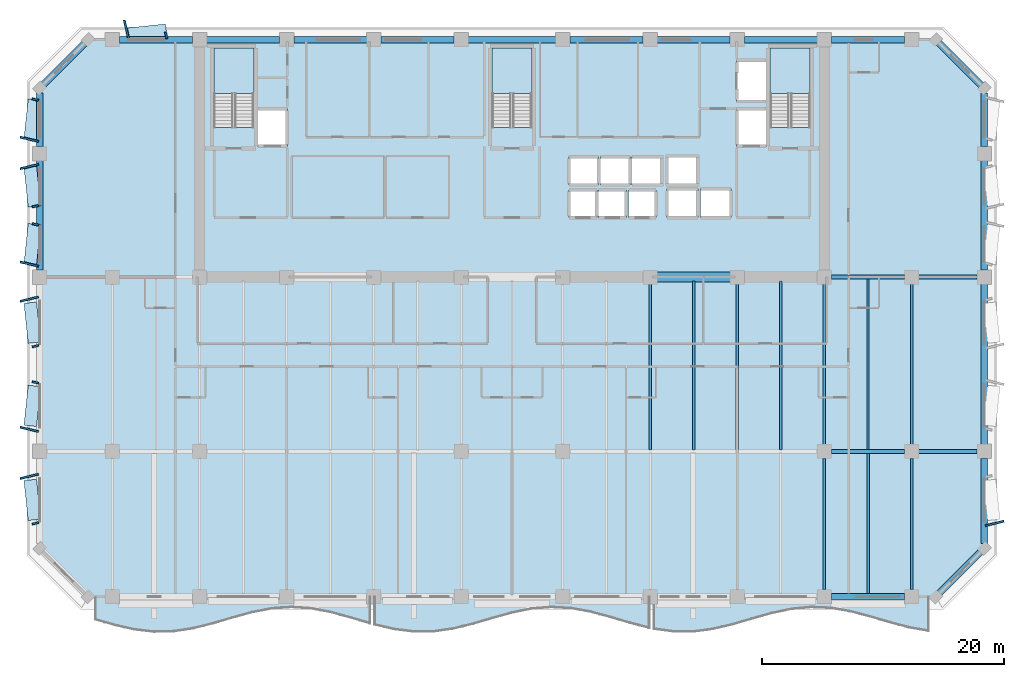
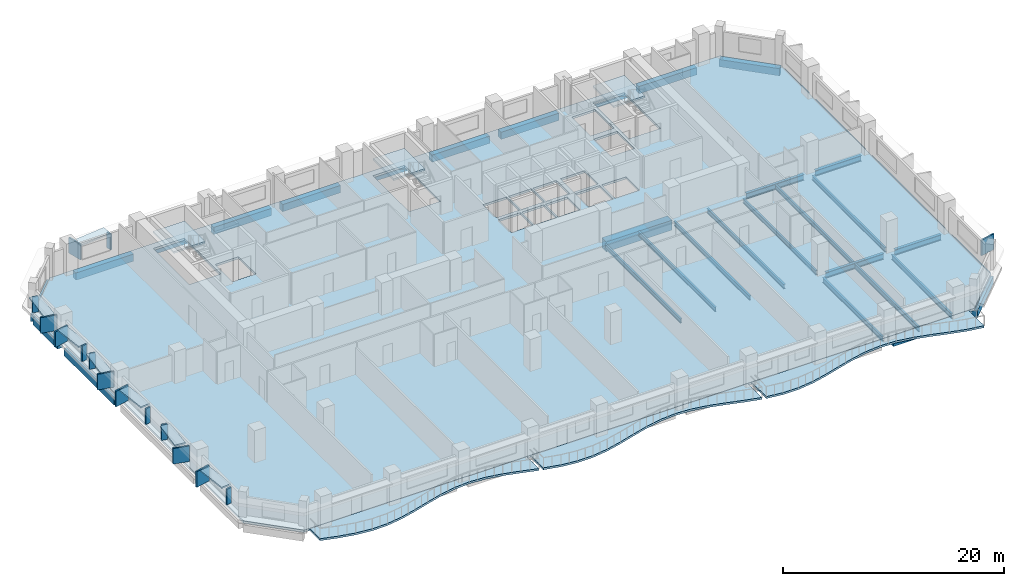
# One storey, part 2 of 14: 34 beams, 22 plates, 7 slabs, 3 elements without a shape of their own.
"""IFC4 building model written with IfcOpenShell, lengths in metres."""

from ifc_helpers import new_model, si_unit, direction, frame, origin, origin_2d, place, context, subcontext, project, spatial, polyline, rectangle, i_section, outline, extrude, material, layer, layer_set, material_profile, profile_set, type_object, element, aggregate, save


model = new_model("IFC4")

# Units and contexts
model_context = context("Model", 3, precision=1e-05, world=origin(), true_north=direction((0.0, 1.0)))
body_context = subcontext(model_context, "Body", "Model", "MODEL_VIEW")
ifc_project = project(units=[si_unit("LENGTHUNIT", "METRE"), si_unit("AREAUNIT", "SQUARE_METRE"), si_unit("VOLUMEUNIT", "CUBIC_METRE"), si_unit("PLANEANGLEUNIT", "RADIAN"), si_unit("MASSUNIT", "GRAM", prefix="KILO")], contexts=[model_context])

# Site, building, storey
site_placement = place(None, origin())
site = spatial("IfcSite", under=ifc_project, at=site_placement, CompositionType="ELEMENT")
building_placement = place(site_placement, origin())
building = spatial("IfcBuilding", under=site, at=building_placement, Name="Kaelvorn Grand Hotel", CompositionType="ELEMENT")
storey_placement = place(building_placement, frame((0.0, 0.0, 193.949951171875)))
storey = spatial("IfcBuildingStorey", under=building, at=storey_placement, Name="L47", CompositionType="ELEMENT", Elevation=193.949951171875)

# Beams
ifc_material_1 = material(Name="Steel S355", Category="steel")
ifc_material_profile_1 = material_profile(ifc_material_1, i_section(OverallWidth=0.300048828125, OverallDepth=0.64990234375, WebThickness=0.01611328125, FlangeThickness=0.031005859375, FilletRadius=0.027099609375, at=origin_2d()), Name="HEB 650")
ifc_profile_set_1 = profile_set([ifc_material_profile_1], Name="Steel S355")
beam_type_1 = type_object("IfcBeamType", Name="BM-G-HEB650-S355", PredefinedType="BEAM", material=ifc_profile_set_1)
beam_1_placement = place(storey_placement, frame((68.385009765625, 15.0, -0.56494140625), z_axis=(1.0, 0.0, 0.0), x_axis=(0.0, 1.0, 0.0)))
element("IfcBeam", 1, at=beam_1_placement, inside=storey, type_object=beam_type_1, Name="L47 Primary Spine Steel Girder G-15 06", PredefinedType="BEAM", context=body_context, shape_type="SweptSolid", body=[
    extrude(i_section(OverallWidth=0.300048828125, OverallDepth=0.64990234375, WebThickness=0.01611328125, FlangeThickness=0.031005859375, FilletRadius=0.027099609375, at=origin_2d()), origin(), (0.0, 0.0, 1.0), 6.030029296875),
])
beam_2_placement = place(storey_placement, frame((75.5849609375, 15.0, -0.56494140625), z_axis=(1.0, 0.0, 0.0), x_axis=(0.0, 1.0, 0.0)))
element("IfcBeam", 2, at=beam_2_placement, inside=storey, type_object=beam_type_1, Name="L47 Primary Spine Steel Girder G-15 07", PredefinedType="BEAM", context=body_context, shape_type="SweptSolid", body=[
    extrude(i_section(OverallWidth=0.300048828125, OverallDepth=0.64990234375, WebThickness=0.01611328125, FlangeThickness=0.031005859375, FilletRadius=0.027099609375, at=origin_2d()), origin(), (0.0, 0.0, 1.0), 4.830078125),
])
beam_3_placement = place(storey_placement, frame((68.385009765625, 29.39990234375, -0.56494140625), z_axis=(1.0, 0.0, 0.0), x_axis=(0.0, 1.0, 0.0)))
element("IfcBeam", 3, at=beam_3_placement, inside=storey, type_object=beam_type_1, Name="L47 East Core Wing Steel Girder G-29E 01", PredefinedType="BEAM", context=body_context, shape_type="SweptSolid", body=[
    extrude(i_section(OverallWidth=0.300048828125, OverallDepth=0.64990234375, WebThickness=0.01611328125, FlangeThickness=0.031005859375, FilletRadius=0.027099609375, at=origin_2d()), origin(), (0.0, 0.0, 1.0), 6.030029296875),
])
beam_4_placement = place(storey_placement, frame((75.5849609375, 29.39990234375, -0.56494140625), z_axis=(1.0, 0.0, 0.0), x_axis=(0.0, 1.0, 0.0)))
element("IfcBeam", 4, at=beam_4_placement, inside=storey, type_object=beam_type_1, Name="L47 East Core Wing Steel Girder G-29E 02", PredefinedType="BEAM", context=body_context, shape_type="SweptSolid", body=[
    extrude(i_section(OverallWidth=0.300048828125, OverallDepth=0.64990234375, WebThickness=0.01611328125, FlangeThickness=0.031005859375, FilletRadius=0.027099609375, at=origin_2d()), origin(), (0.0, 0.0, 1.0), 4.830078125),
])
ifc_material_profile_2 = material_profile(ifc_material_1, i_section(OverallWidth=0.199951171875, OverallDepth=0.5, WebThickness=0.01025390625, FlangeThickness=0.01611328125, FilletRadius=0.02099609375, at=origin_2d()), Name="IPE 500")
ifc_profile_set_2 = profile_set([ifc_material_profile_2], Name="Steel S355")
beam_type_2 = type_object("IfcBeamType", Name="BM-J-IPE500-S355", PredefinedType="JOIST", material=ifc_profile_set_2)
beam_5_placement = place(storey_placement, frame((53.39990234375, 15.135009765625, -0.489990234375), z_axis=(0.0, 1.0, 0.0), x_axis=(-1.0, 0.0, 0.0)))
element("IfcBeam", 5, at=beam_5_placement, inside=storey, type_object=beam_type_2, Name="L47 Composite Floor Joist JM-15", PredefinedType="JOIST", context=body_context, shape_type="SweptSolid", body=[
    extrude(i_section(OverallWidth=0.199951171875, OverallDepth=0.5, WebThickness=0.01025390625, FlangeThickness=0.01611328125, FilletRadius=0.02099609375, at=origin_2d()), origin(), (0.0, 0.0, 1.0), 13.679931640625),
])
beam_6_placement = place(storey_placement, frame((57.0, 15.135009765625, -0.489990234375), z_axis=(0.0, 1.0, 0.0), x_axis=(-1.0, 0.0, 0.0)))
element("IfcBeam", 6, at=beam_6_placement, inside=storey, type_object=beam_type_2, Name="L47 Composite Floor Joist JM-16", PredefinedType="JOIST", context=body_context, shape_type="SweptSolid", body=[
    extrude(i_section(OverallWidth=0.199951171875, OverallDepth=0.5, WebThickness=0.01025390625, FlangeThickness=0.01611328125, FilletRadius=0.02099609375, at=origin_2d()), origin(), (0.0, 0.0, 1.0), 13.925048828125),
])
beam_7_placement = place(storey_placement, frame((60.60009765625, 15.135009765625, -0.489990234375), z_axis=(0.0, 1.0, 0.0), x_axis=(-1.0, 0.0, 0.0)))
element("IfcBeam", 7, at=beam_7_placement, inside=storey, type_object=beam_type_2, Name="L47 Composite Floor Joist JM-17", PredefinedType="JOIST", context=body_context, shape_type="SweptSolid", body=[
    extrude(i_section(OverallWidth=0.199951171875, OverallDepth=0.5, WebThickness=0.01025390625, FlangeThickness=0.01611328125, FilletRadius=0.02099609375, at=origin_2d()), origin(), (0.0, 0.0, 1.0), 13.679931640625),
])
beam_8_placement = place(storey_placement, frame((64.199951171875, 15.135009765625, -0.489990234375), z_axis=(0.0, 1.0, 0.0), x_axis=(-1.0, 0.0, 0.0)))
element("IfcBeam", 8, at=beam_8_placement, inside=storey, type_object=beam_type_2, Name="L47 Composite Floor Joist JM-18", PredefinedType="JOIST", context=body_context, shape_type="SweptSolid", body=[
    extrude(i_section(OverallWidth=0.199951171875, OverallDepth=0.5, WebThickness=0.01025390625, FlangeThickness=0.01611328125, FilletRadius=0.02099609375, at=origin_2d()), origin(), (0.0, 0.0, 1.0), 13.925048828125),
])
beam_9_placement = place(storey_placement, frame((67.800048828125, 15.5849609375, -0.489990234375), z_axis=(0.0, 1.0, 0.0), x_axis=(-1.0, 0.0, 0.0)))
element("IfcBeam", 9, at=beam_9_placement, inside=storey, type_object=beam_type_2, Name="L47 Composite Floor Joist JM-19", PredefinedType="JOIST", context=body_context, shape_type="SweptSolid", body=[
    extrude(i_section(OverallWidth=0.199951171875, OverallDepth=0.5, WebThickness=0.01025390625, FlangeThickness=0.01611328125, FilletRadius=0.02099609375, at=origin_2d()), origin(), (0.0, 0.0, 1.0), 13.22998046875),
])
beam_10_placement = place(storey_placement, frame((71.39990234375, 15.135009765625, -0.489990234375), z_axis=(0.0, 1.0, 0.0), x_axis=(-1.0, 0.0, 0.0)))
element("IfcBeam", 10, at=beam_10_placement, inside=storey, type_object=beam_type_2, Name="L47 Composite Floor Joist JM-20", PredefinedType="JOIST", context=body_context, shape_type="SweptSolid", body=[
    extrude(i_section(OverallWidth=0.199951171875, OverallDepth=0.5, WebThickness=0.01025390625, FlangeThickness=0.01611328125, FilletRadius=0.02099609375, at=origin_2d()), origin(), (0.0, 0.0, 1.0), 14.1298828125),
])
beam_11_placement = place(storey_placement, frame((75.0, 15.5849609375, -0.489990234375), z_axis=(0.0, 1.0, 0.0), x_axis=(-1.0, 0.0, 0.0)))
element("IfcBeam", 11, at=beam_11_placement, inside=storey, type_object=beam_type_2, Name="L47 Composite Floor Joist JM-21", PredefinedType="JOIST", context=body_context, shape_type="SweptSolid", body=[
    extrude(i_section(OverallWidth=0.199951171875, OverallDepth=0.5, WebThickness=0.01025390625, FlangeThickness=0.01611328125, FilletRadius=0.02099609375, at=origin_2d()), origin(), (0.0, 0.0, 1.0), 13.22998046875),
])
ifc_material_profile_3 = material_profile(ifc_material_1, i_section(OverallWidth=0.2099609375, OverallDepth=0.550048828125, WebThickness=0.010986328125, FlangeThickness=0.01708984375, FilletRadius=0.02392578125, at=origin_2d()), Name="IPE 550")
ifc_profile_set_3 = profile_set([ifc_material_profile_3], Name="Steel S355")
beam_type_3 = type_object("IfcBeamType", Name="BM-J-IPE550-S355", PredefinedType="JOIST", material=ifc_profile_set_3)
beam_12_placement = place(storey_placement, frame((67.800048828125, 3.5849609375, -0.514892578125), z_axis=(0.0, 1.0, 0.0), x_axis=(-1.0, 0.0, 0.0)))
element("IfcBeam", 12, at=beam_12_placement, inside=storey, type_object=beam_type_3, Name="L47 Composite Floor Joist JS-19", PredefinedType="JOIST", context=body_context, shape_type="SweptSolid", body=[
    extrude(i_section(OverallWidth=0.2099609375, OverallDepth=0.550048828125, WebThickness=0.010986328125, FlangeThickness=0.01708984375, FilletRadius=0.02392578125, at=origin_2d()), origin(), (0.0, 0.0, 1.0), 10.830078125),
])
beam_13_placement = place(storey_placement, frame((71.39990234375, 3.260009765625, -0.514892578125), z_axis=(0.0, 1.0, 0.0), x_axis=(-1.0, 0.0, 0.0)))
element("IfcBeam", 13, at=beam_13_placement, inside=storey, type_object=beam_type_3, Name="L47 Composite Floor Joist JS-20", PredefinedType="JOIST", context=body_context, shape_type="SweptSolid", body=[
    extrude(i_section(OverallWidth=0.2099609375, OverallDepth=0.550048828125, WebThickness=0.010986328125, FlangeThickness=0.01708984375, FilletRadius=0.02392578125, at=origin_2d()), origin(), (0.0, 0.0, 1.0), 11.60498046875),
])
beam_14_placement = place(storey_placement, frame((75.0, 3.5849609375, -0.514892578125), z_axis=(0.0, 1.0, 0.0), x_axis=(-1.0, 0.0, 0.0)))
element("IfcBeam", 14, at=beam_14_placement, inside=storey, type_object=beam_type_3, Name="L47 Composite Floor Joist JS-21", PredefinedType="JOIST", context=body_context, shape_type="SweptSolid", body=[
    extrude(i_section(OverallWidth=0.2099609375, OverallDepth=0.550048828125, WebThickness=0.010986328125, FlangeThickness=0.01708984375, FilletRadius=0.02392578125, at=origin_2d()), origin(), (0.0, 0.0, 1.0), 10.830078125),
])
ifc_material_2 = material(Name="Concrete C60/75", Category="concrete")
ifc_material_profile_4 = material_profile(ifc_material_2, rectangle(XDim=0.800048828125, YDim=1.10009765625, at=origin_2d()), Name="RC LINTEL 800x1100")
ifc_profile_set_4 = profile_set([ifc_material_profile_4], Name="Concrete C60/75")
beam_type_4 = type_object("IfcBeamType", Name="BM-LIN-800x1100-C60", PredefinedType="LINTEL", material=ifc_profile_set_4)
beam_15_placement = place(storey_placement, frame((53.580078125, 29.39990234375, -0.7900390625), z_axis=(1.0, 0.0, 0.0), x_axis=(0.0, 1.0, 0.0)))
element("IfcBeam", 15, at=beam_15_placement, inside=storey, type_object=beam_type_4, Name="L47 Rear-Core Coupling Lintel Beam CB1-03", PredefinedType="LINTEL", context=body_context, shape_type="SweptSolid", body=[
    extrude(rectangle(XDim=0.800048828125, YDim=1.10009765625, at=origin_2d()), origin(), (0.0, 0.0, 1.0), 6.83984375),
])
ifc_material_3 = material(Name="Concrete C50/60", Category="concrete")
ifc_material_profile_5 = material_profile(ifc_material_3, rectangle(XDim=0.550048828125, YDim=0.800048828125, at=origin_2d()), Name="RC SPANDREL 550x800")
ifc_profile_set_5 = profile_set([ifc_material_profile_5], Name="Concrete C50/60")
beam_type_5 = type_object("IfcBeamType", Name="BM-SP-550x800-C50", PredefinedType="SPANDREL", material=ifc_profile_set_5)
for number, where, z_axis, x_axis, name in (
    (16, (68.385009765625, 3.0, -0.639892578125), (1.0, 0.0, 0.0), (0.0, 1.0, 0.0), "L47 South Perimeter Spandrel 10"),
    (17, (9.5849609375, 49.0, -0.639892578125), (1.0, 0.0, 0.0), (0.0, 1.0, 0.0), "L47 North Perimeter Spandrel 02"),
    (18, (16.784912109375, 49.0, -0.639892578125), (1.0, 0.0, 0.0), (0.0, 1.0, 0.0), "L47 North Perimeter Spandrel 03"),
):
    element("IfcBeam", number, at=place(storey_placement, frame(where, z_axis=z_axis, x_axis=x_axis)), inside=storey, type_object=beam_type_5, Name=name, PredefinedType="SPANDREL", context=body_context, shape_type="SweptSolid", body=[
        extrude(rectangle(XDim=0.550048828125, YDim=0.800048828125, at=origin_2d()), origin(), (0.0, 0.0, 1.0), 6.030029296875),
    ])
beam_16_placement = place(storey_placement, frame((23.985107421875, 49.0, -0.639892578125), z_axis=(1.0, 0.0, 0.0), x_axis=(0.0, 1.0, 0.0)))
element("IfcBeam", 19, at=beam_16_placement, inside=storey, type_object=beam_type_5, Name="L47 North Perimeter Spandrel 04", PredefinedType="SPANDREL", context=body_context, shape_type="SweptSolid", body=[
    extrude(rectangle(XDim=0.550048828125, YDim=0.800048828125, at=origin_2d()), origin(), (0.0, 0.0, 1.0), 6.02978515625),
])
beam_17_placement = place(storey_placement, frame((31.18505859375, 49.0, -0.639892578125), z_axis=(1.0, 0.0, 0.0), x_axis=(0.0, 1.0, 0.0)))
element("IfcBeam", 20, at=beam_17_placement, inside=storey, type_object=beam_type_5, Name="L47 North Perimeter Spandrel 05", PredefinedType="SPANDREL", context=body_context, shape_type="SweptSolid", body=[
    extrude(rectangle(XDim=0.550048828125, YDim=0.800048828125, at=origin_2d()), origin(), (0.0, 0.0, 1.0), 6.030029296875),
])
beam_18_placement = place(storey_placement, frame((38.385009765625, 49.0, -0.639892578125), z_axis=(1.0, 0.0, 0.0), x_axis=(0.0, 1.0, 0.0)))
element("IfcBeam", 21, at=beam_18_placement, inside=storey, type_object=beam_type_5, Name="L47 North Perimeter Spandrel 06", PredefinedType="SPANDREL", context=body_context, shape_type="SweptSolid", body=[
    extrude(rectangle(XDim=0.550048828125, YDim=0.800048828125, at=origin_2d()), origin(), (0.0, 0.0, 1.0), 7.22998046875),
])
beam_19_placement = place(storey_placement, frame((46.784912109375, 49.0, -0.639892578125), z_axis=(1.0, 0.0, 0.0), x_axis=(0.0, 1.0, 0.0)))
element("IfcBeam", 22, at=beam_19_placement, inside=storey, type_object=beam_type_5, Name="L47 North Perimeter Spandrel 07", PredefinedType="SPANDREL", context=body_context, shape_type="SweptSolid", body=[
    extrude(rectangle(XDim=0.550048828125, YDim=0.800048828125, at=origin_2d()), origin(), (0.0, 0.0, 1.0), 6.030029296875),
])
beam_20_placement = place(storey_placement, frame((53.985107421875, 49.0, -0.639892578125), z_axis=(1.0, 0.0, 0.0), x_axis=(0.0, 1.0, 0.0)))
element("IfcBeam", 23, at=beam_20_placement, inside=storey, type_object=beam_type_5, Name="L47 North Perimeter Spandrel 08", PredefinedType="SPANDREL", context=body_context, shape_type="SweptSolid", body=[
    extrude(rectangle(XDim=0.550048828125, YDim=0.800048828125, at=origin_2d()), origin(), (0.0, 0.0, 1.0), 6.02978515625),
])
for number, where, z_axis, x_axis, name in (
    (24, (61.18505859375, 49.0, -0.639892578125), (1.0, 0.0, 0.0), (0.0, 1.0, 0.0), "L47 North Perimeter Spandrel 09"),
    (25, (68.385009765625, 49.0, -0.639892578125), (1.0, 0.0, 0.0), (0.0, 1.0, 0.0), "L47 North Perimeter Spandrel 10"),
):
    element("IfcBeam", number, at=place(storey_placement, frame(where, z_axis=z_axis, x_axis=x_axis)), inside=storey, type_object=beam_type_5, Name=name, PredefinedType="SPANDREL", context=body_context, shape_type="SweptSolid", body=[
        extrude(rectangle(XDim=0.550048828125, YDim=0.800048828125, at=origin_2d()), origin(), (0.0, 0.0, 1.0), 6.030029296875),
    ])
beam_21_placement = place(storey_placement, frame((3.0, 29.985107421875, -0.639892578125), z_axis=(0.0, 1.0, 0.0), x_axis=(-1.0, 0.0, 0.0)))
element("IfcBeam", 26, at=beam_21_placement, inside=storey, type_object=beam_type_5, Name="L47 West Perimeter Spandrel 03", PredefinedType="SPANDREL", context=body_context, shape_type="SweptSolid", body=[
    extrude(rectangle(XDim=0.550048828125, YDim=0.800048828125, at=origin_2d()), origin(), (0.0, 0.0, 1.0), 9.02978515625),
])
beam_22_placement = place(storey_placement, frame((3.0, 40.18505859375, -0.639892578125), z_axis=(0.0, 1.0, 0.0), x_axis=(-1.0, 0.0, 0.0)))
element("IfcBeam", 27, at=beam_22_placement, inside=storey, type_object=beam_type_5, Name="L47 West Perimeter Spandrel 04", PredefinedType="SPANDREL", context=body_context, shape_type="SweptSolid", body=[
    extrude(rectangle(XDim=0.550048828125, YDim=0.800048828125, at=origin_2d()), origin(), (0.0, 0.0, 1.0), 4.409912109375),
])
beam_23_placement = place(storey_placement, frame((81.0, 7.405029296875, -0.639892578125), z_axis=(0.0, 1.0, 0.0), x_axis=(-1.0, 0.0, 0.0)))
element("IfcBeam", 28, at=beam_23_placement, inside=storey, type_object=beam_type_5, Name="L47 East Perimeter Spandrel 01", PredefinedType="SPANDREL", context=body_context, shape_type="SweptSolid", body=[
    extrude(rectangle(XDim=0.550048828125, YDim=0.800048828125, at=origin_2d()), origin(), (0.0, 0.0, 1.0), 7.010009765625),
])
beam_24_placement = place(storey_placement, frame((81.0, 15.5849609375, -0.639892578125), z_axis=(0.0, 1.0, 0.0), x_axis=(-1.0, 0.0, 0.0)))
element("IfcBeam", 29, at=beam_24_placement, inside=storey, type_object=beam_type_5, Name="L47 East Perimeter Spandrel 02", PredefinedType="SPANDREL", context=body_context, shape_type="SweptSolid", body=[
    extrude(rectangle(XDim=0.550048828125, YDim=0.800048828125, at=origin_2d()), origin(), (0.0, 0.0, 1.0), 13.22998046875),
])
beam_25_placement = place(storey_placement, frame((81.0, 29.985107421875, -0.639892578125), z_axis=(0.0, 1.0, 0.0), x_axis=(-1.0, 0.0, 0.0)))
element("IfcBeam", 30, at=beam_25_placement, inside=storey, type_object=beam_type_5, Name="L47 East Perimeter Spandrel 03", PredefinedType="SPANDREL", context=body_context, shape_type="SweptSolid", body=[
    extrude(rectangle(XDim=0.550048828125, YDim=0.800048828125, at=origin_2d()), origin(), (0.0, 0.0, 1.0), 9.02978515625),
])
beam_26_placement = place(storey_placement, frame((81.0, 40.18505859375, -0.639892578125), z_axis=(0.0, 1.0, 0.0), x_axis=(-1.0, 0.0, 0.0)))
element("IfcBeam", 31, at=beam_26_placement, inside=storey, type_object=beam_type_5, Name="L47 East Perimeter Spandrel 04", PredefinedType="SPANDREL", context=body_context, shape_type="SweptSolid", body=[
    extrude(rectangle(XDim=0.550048828125, YDim=0.800048828125, at=origin_2d()), origin(), (0.0, 0.0, 1.0), 4.409912109375),
])
for number, where, z_axis, x_axis, name in (
    (32, (77.0, 3.0, -0.639892578125), (0.707106781187, 0.707106781187, 0.0), (-0.707106781187, 0.707106781187, 0.0), "L47 Chamfer Spandrel Beam 1"),
    (33, (81.0, 45.0, -0.639892578125), (-0.707106781187, 0.707106781187, 0.0), (-0.707106781187, -0.707106781187, 0.0), "L47 Chamfer Spandrel Beam 2"),
    (34, (7.0, 49.0, -0.639892578125), (-0.707106781187, -0.707106781187, 0.0), (0.707106781187, -0.707106781187, 0.0), "L47 Chamfer Spandrel Beam 3"),
):
    element("IfcBeam", number, at=place(storey_placement, frame(where, z_axis=z_axis, x_axis=x_axis)), inside=storey, type_object=beam_type_5, Name=name, PredefinedType="SPANDREL", context=body_context, shape_type="SweptSolid", body=[
        extrude(rectangle(XDim=0.550048828125, YDim=0.800048828125, at=origin_2d()), origin(), (0.0, 0.0, 1.0), 5.65673828125),
    ])

# Plates
ifc_material_4 = material(Name="Precast concrete C45/55", Category="concrete")
ifc_layer_1 = layer(ifc_material_4, 0.159912109375)
ifc_layer_set_1 = layer_set([ifc_layer_1], Name="Precast concrete C45/55")
plate_type_1 = type_object("IfcPlateType", Name="PL-FRAME-DEEP-1550", PredefinedType="USERDEFINED", material=ifc_layer_set_1)
for number, where, z_axis, x_axis, name in (
    (35, (81.85498046875, 9.06005859375, 0.81494140625), (0.0, 0.0, 1.0), (-0.233445363856, 0.972369920398, 0.0), "L47 Tilted Precast Window Frame Fin L-E01"),
    (36, (2.14501953125, 12.93994140625, 0.81494140625), (0.0, 0.0, 1.0), (-0.233445363856, 0.972369920398, 0.0), "L47 Tilted Precast Window Frame Fin R-W01"),
    (37, (2.14501953125, 16.824951171875, 0.81494140625), (0.0, 0.0, 1.0), (0.233445363856, 0.972369920398, 0.0), "L47 Tilted Precast Window Frame Fin L-W02"),
    (38, (2.14501953125, 27.574951171875, 0.81494140625), (0.0, 0.0, 1.0), (-0.233445363856, 0.972369920398, 0.0), "L47 Tilted Precast Window Frame Fin R-W03"),
    (39, (2.14501953125, 30.47509765625, 0.740234375), (0.0, 0.0, 1.0), (0.233445363856, 0.972369920398, 0.0), "L47 Tilted Precast Window Frame Fin L-W04"),
    (40, (2.14501953125, 38.52490234375, 0.740234375), (0.0, 0.0, 1.0), (-0.233445363856, 0.972369920398, 0.0), "L47 Tilted Precast Window Frame Fin R-W05"),
    (41, (2.14501953125, 40.77490234375, 0.740234375), (0.0, 0.0, 1.0), (0.233445363856, 0.972369920398, 0.0), "L47 Tilted Precast Window Frame Fin L-W06"),
    (42, (10.159912109375, 49.85498046875, 0.740234375), (0.0, 0.0, 1.0), (0.972369920398, 0.233445363856, 0.0), "L47 Tilted Precast Window Frame Fin L-N01"),
):
    element("IfcPlate", number, at=place(storey_placement, frame(where, z_axis=z_axis, x_axis=x_axis)), inside=storey, type_object=plate_type_1, Name=name, ObjectType="FLANGE_PLATE", PredefinedType="USERDEFINED", context=body_context, shape_type="SweptSolid", body=[
        extrude(rectangle(XDim=0.159912109375, YDim=1.550048828125, at=origin_2d()), origin(), (0.0, 0.0, 1.0), 1.719970703125),
    ])
ifc_layer_2 = layer(ifc_material_4, 0.159912109375)
ifc_layer_set_2 = layer_set([ifc_layer_2], Name="Precast concrete C45/55")
plate_type_2 = type_object("IfcPlateType", Name="PL-FRAME-HEAD-1050", PredefinedType="USERDEFINED", material=ifc_layer_set_2)
for number, where, z_axis, x_axis, name in (
    (43, (2.39501953125, 11.0, 2.5), (0.0, 0.0, 1.0), (-0.105830199459, 0.994384215926, 0.0), "L47 Precast Window Frame Head Hood H-W01"),
    (44, (2.39501953125, 18.764892578125, 2.5), (0.0, 0.0, 1.0), (0.105830199459, 0.994384215926, 0.0), "L47 Precast Window Frame Head Hood H-W02"),
    (45, (2.39501953125, 25.635009765625, 2.5), (0.0, 0.0, 1.0), (-0.105830199459, 0.994384215926, 0.0), "L47 Precast Window Frame Head Hood H-W03"),
    (46, (2.39501953125, 32.114990234375, 2.35009765625), (0.0, 0.0, 1.0), (0.105830199459, 0.994384215926, 0.0), "L47 Precast Window Frame Head Hood H-W04"),
    (47, (2.39501953125, 36.885009765625, 2.35009765625), (0.0, 0.0, 1.0), (-0.105830199459, 0.994384215926, 0.0), "L47 Precast Window Frame Head Hood H-W05"),
    (48, (2.39501953125, 42.4150390625, 2.35009765625), (0.0, 0.0, 1.0), (0.105830199459, 0.994384215926, 0.0), "L47 Precast Window Frame Head Hood H-W06"),
    (49, (11.800048828125, 49.60498046875, 2.35009765625), (0.0, 0.0, 1.0), (0.994384215926, 0.105830199459, 0.0), "L47 Precast Window Frame Head Hood H-N01"),
):
    element("IfcPlate", number, at=place(storey_placement, frame(where, z_axis=z_axis, x_axis=x_axis)), inside=storey, type_object=plate_type_2, Name=name, ObjectType="FLANGE_PLATE", PredefinedType="USERDEFINED", context=body_context, shape_type="SweptSolid", body=[
        extrude(rectangle(XDim=3.320068359375, YDim=1.050048828125, at=origin_2d()), origin(), (0.0, 0.0, 1.0), 0.159912109375),
    ])
ifc_layer_3 = layer(ifc_material_4, 0.159912109375)
ifc_layer_set_3 = layer_set([ifc_layer_3], Name="Precast concrete C45/55")
plate_type_3 = type_object("IfcPlateType", Name="PL-FRAME-SHAL-550", PredefinedType="USERDEFINED", material=ifc_layer_set_3)
for number, where, z_axis, x_axis, name in (
    (50, (2.64501953125, 9.06005859375, 0.81494140625), (0.0, 0.0, 1.0), (-0.233445363856, 0.972369920398, 0.0), "L47 Tilted Precast Window Frame Fin L-W01"),
    (51, (2.64501953125, 20.705078125, 0.81494140625), (0.0, 0.0, 1.0), (0.233445363856, 0.972369920398, 0.0), "L47 Tilted Precast Window Frame Fin R-W02"),
    (52, (2.64501953125, 23.695068359375, 0.81494140625), (0.0, 0.0, 1.0), (-0.233445363856, 0.972369920398, 0.0), "L47 Tilted Precast Window Frame Fin L-W03"),
    (53, (2.64501953125, 33.7548828125, 0.740234375), (0.0, 0.0, 1.0), (0.233445363856, 0.972369920398, 0.0), "L47 Tilted Precast Window Frame Fin R-W04"),
    (54, (2.64501953125, 35.2451171875, 0.740234375), (0.0, 0.0, 1.0), (-0.233445363856, 0.972369920398, 0.0), "L47 Tilted Precast Window Frame Fin L-W05"),
    (55, (2.64501953125, 44.054931640625, 0.740234375), (0.0, 0.0, 1.0), (0.233445363856, 0.972369920398, 0.0), "L47 Tilted Precast Window Frame Fin R-W06"),
    (56, (13.43994140625, 49.35498046875, 0.740234375), (0.0, 0.0, 1.0), (0.972369920398, 0.233445363856, 0.0), "L47 Tilted Precast Window Frame Fin R-N01"),
):
    element("IfcPlate", number, at=place(storey_placement, frame(where, z_axis=z_axis, x_axis=x_axis)), inside=storey, type_object=plate_type_3, Name=name, ObjectType="FLANGE_PLATE", PredefinedType="USERDEFINED", context=body_context, shape_type="SweptSolid", body=[
        extrude(rectangle(XDim=0.159912109375, YDim=0.550048828125, at=origin_2d()), origin(), (0.0, 0.0, 1.0), 1.719970703125),
    ])

# Slabs
ifc_material_5 = material(Name="Concrete C40/50", Category="concrete")
ifc_layer_4 = layer(ifc_material_5, 0.219970703125)
ifc_layer_set_4 = layer_set([ifc_layer_4], Name="Concrete C40/50")
slab_type_1 = type_object("IfcSlabType", Name="SLB-BALC-220-C40", PredefinedType="FLOOR", material=ifc_layer_set_4)
slab_1_placement = place(storey_placement, frame((0.0, 0.0, -0.219970703125)))
element("IfcSlab", 57, at=slab_1_placement, inside=storey, type_object=slab_type_1, Name="L47 Scalloped Wave Balcony Slab 1", PredefinedType="FLOOR", context=body_context, shape_type="SweptSolid", body=[
    extrude(outline(polyline([(7.60009765625, 1.125), (9.218994140625, 0.659912109375), (10.838134765625, 0.296142578125), (12.45703125, 0.11279296875), (14.076171875, 0.14990234375), (15.6953125, 0.399169921875), (17.314208984375, 0.806640625), (18.933349609375, 1.283447265625), (20.552490234375, 1.7255859375), (22.17138671875, 2.037109375), (23.79052734375, 2.14990234375), (25.409423828125, 2.039794921875), (27.028564453125, 1.730224609375), (28.647705078125, 1.2890625), (30.2666015625, 0.81201171875), (30.2666015625, 3.0), (7.60009765625, 3.0), (7.60009765625, 1.125)])), origin(), (0.0, 0.0, 1.0), 0.219970703125),
])
slab_2_placement = place(storey_placement, frame((0.0, 0.0, -0.219970703125)))
element("IfcSlab", 58, at=slab_2_placement, inside=storey, type_object=slab_type_1, Name="L47 Scalloped Wave Balcony Slab 2", PredefinedType="FLOOR", context=body_context, shape_type="SweptSolid", body=[
    extrude(outline(polyline([(30.666748046875, 0.700927734375), (32.28564453125, 0.32373046875), (33.90478515625, 0.120849609375), (35.52392578125, 0.13671875), (37.142822265625, 0.367919921875), (38.761962890625, 0.763671875), (40.380859375, 1.23828125), (42.0, 1.688232421875), (43.619140625, 2.015380859375), (45.238037109375, 2.14892578125), (46.857177734375, 2.059326171875), (48.47607421875, 1.766357421875), (50.09521484375, 1.333740234375), (51.71435546875, 0.855712890625), (53.333251953125, 0.436279296875), (53.333251953125, 3.0), (30.666748046875, 3.0), (30.666748046875, 0.700927734375)])), origin(), (0.0, 0.0, 1.0), 0.219970703125),
])
slab_3_placement = place(storey_placement, frame((0.0, 0.0, -0.219970703125)))
element("IfcSlab", 59, at=slab_3_placement, inside=storey, type_object=slab_type_1, Name="L47 Scalloped Wave Balcony Slab 3", PredefinedType="FLOOR", context=body_context, shape_type="SweptSolid", body=[
    extrude(outline(polyline([(53.7333984375, 0.352783203125), (55.352294921875, 0.131103515625), (56.971435546875, 0.125732421875), (58.590576171875, 0.337890625), (60.20947265625, 0.7216796875), (61.82861328125, 1.193115234375), (63.447509765625, 1.649658203125), (65.066650390625, 1.9921875), (66.685791015625, 2.145751953125), (68.3046875, 2.0771484375), (69.923828125, 1.801025390625), (71.54296875, 1.3779296875), (73.161865234375, 0.899658203125), (74.781005859375, 0.470458984375), (76.39990234375, 0.183837890625), (76.39990234375, 3.0), (53.7333984375, 3.0), (53.7333984375, 0.352783203125)])), origin(), (0.0, 0.0, 1.0), 0.219970703125),
])
ifc_layer_5 = layer(ifc_material_5, 0.239990234375)
ifc_layer_set_5 = layer_set([ifc_layer_5], Name="Concrete C40/50")
slab_type_2 = type_object("IfcSlabType", Name="SLB-FLR-240-C40", PredefinedType="FLOOR", material=ifc_layer_set_5)
slab_4_placement = place(storey_placement, frame((0.0, 0.0, -0.239990234375)))
element("IfcSlab", 60, at=slab_4_placement, inside=storey, type_object=slab_type_2, Name="L47 Indoor Suspended Floor Slab", PredefinedType="FLOOR", context=body_context, shape_type="SweptSolid", body=[
    extrude(outline(polyline([(7.0, 3.0), (77.0, 3.0), (81.0, 7.0), (81.0, 45.0), (77.0, 49.0), (7.0, 49.0), (3.0, 45.0), (3.0, 7.0), (7.0, 3.0)]), holes=[polyline([(17.39990234375, 41.760009765625), (17.39990234375, 48.300048828125), (20.679931640625, 48.300048828125), (20.679931640625, 41.760009765625), (17.39990234375, 41.760009765625)]), polyline([(40.360107421875, 41.760009765625), (40.360107421875, 48.300048828125), (43.639892578125, 48.300048828125), (43.639892578125, 41.760009765625), (40.360107421875, 41.760009765625)]), polyline([(63.320068359375, 41.760009765625), (63.320068359375, 48.300048828125), (66.60009765625, 48.300048828125), (66.60009765625, 41.760009765625), (63.320068359375, 41.760009765625)]), polyline([(46.699951171875, 34.300048828125), (46.699951171875, 36.60009765625), (49.0, 36.60009765625), (49.0, 34.300048828125), (46.699951171875, 34.300048828125)]), polyline([(49.14990234375, 34.300048828125), (49.14990234375, 36.60009765625), (51.449951171875, 36.60009765625), (51.449951171875, 34.300048828125), (49.14990234375, 34.300048828125)]), polyline([(51.60009765625, 34.300048828125), (51.60009765625, 36.60009765625), (53.89990234375, 36.60009765625), (53.89990234375, 34.300048828125), (51.60009765625, 34.300048828125)]), polyline([(46.699951171875, 37.0), (46.699951171875, 39.35009765625), (49.14990234375, 39.35009765625), (49.14990234375, 37.0), (46.699951171875, 37.0)]), polyline([(49.300048828125, 37.0), (49.300048828125, 39.35009765625), (51.75, 39.35009765625), (51.75, 37.0), (49.300048828125, 37.0)]), polyline([(51.89990234375, 37.0), (51.89990234375, 39.35009765625), (54.35009765625, 39.35009765625), (54.35009765625, 37.0), (51.89990234375, 37.0)]), polyline([(54.800048828125, 34.300048828125), (54.800048828125, 36.699951171875), (57.35009765625, 36.699951171875), (57.35009765625, 34.300048828125), (54.800048828125, 34.300048828125)]), polyline([(57.550048828125, 34.300048828125), (57.550048828125, 36.699951171875), (60.10009765625, 36.699951171875), (60.10009765625, 34.300048828125), (57.550048828125, 34.300048828125)]), polyline([(54.800048828125, 37.0), (54.800048828125, 39.39990234375), (57.35009765625, 39.39990234375), (57.35009765625, 37.0), (54.800048828125, 37.0)]), polyline([(21.0, 40.199951171875), (21.0, 43.300048828125), (23.449951171875, 43.300048828125), (23.449951171875, 40.199951171875), (21.0, 40.199951171875)]), polyline([(60.550048828125, 40.199951171875), (60.550048828125, 43.300048828125), (63.0, 43.300048828125), (63.0, 40.199951171875), (60.550048828125, 40.199951171875)]), polyline([(60.550048828125, 43.89990234375), (60.550048828125, 47.300048828125), (63.0, 47.300048828125), (63.0, 43.89990234375), (60.550048828125, 43.89990234375)])]), origin(), (0.0, 0.0, 1.0), 0.239990234375),
])

# Stair, slab
stair_type = type_object("IfcStairType", Name="STR-DOG-1560-R08", PredefinedType="HALF_TURN_STAIR", material=ifc_material_5)
stair_1_placement = place(storey_placement, origin())
stair_1 = element("IfcStair", 61, at=stair_1_placement, inside=storey, type_object=stair_type, Name="L47 West Core Exit Stair ST1", PredefinedType="HALF_TURN_STAIR")
ifc_layer_6 = layer(ifc_material_5, 0.199951171875)
ifc_layer_set_6 = layer_set([ifc_layer_6], Name="Concrete C40/50")
slab_type_3 = type_object("IfcSlabType", Name="SLB-LAND-200-C40", PredefinedType="LANDING", material=ifc_layer_set_6)
slab_5_placement = place(storey_placement, frame((0.0, 0.0, 1.699951171875)))
slab_5 = element("IfcSlab", 62, at=slab_5_placement, type_object=slab_type_3, Name="ST1 landing 1", PredefinedType="LANDING", context=body_context, shape_type="SweptSolid", body=[
    extrude(outline(polyline([(20.679931640625, 44.56005859375), (20.679931640625, 48.300048828125), (17.39990234375, 48.300048828125), (17.39990234375, 44.56005859375), (20.679931640625, 44.56005859375)])), origin(), (0.0, 0.0, 1.0), 0.2001953125),
])
aggregate(stair_1, [slab_5])

stair_2_placement = place(storey_placement, origin())
stair_2 = element("IfcStair", 63, at=stair_2_placement, inside=storey, type_object=stair_type, Name="L47 Central Core Exit Stair ST2", PredefinedType="HALF_TURN_STAIR")
slab_6_placement = place(storey_placement, frame((0.0, 0.0, 1.699951171875)))
slab_6 = element("IfcSlab", 64, at=slab_6_placement, type_object=slab_type_3, Name="ST2 landing 1", PredefinedType="LANDING", context=body_context, shape_type="SweptSolid", body=[
    extrude(outline(polyline([(43.639892578125, 44.56005859375), (43.639892578125, 48.300048828125), (40.360107421875, 48.300048828125), (40.360107421875, 44.56005859375), (43.639892578125, 44.56005859375)])), origin(), (0.0, 0.0, 1.0), 0.2001953125),
])
aggregate(stair_2, [slab_6])

stair_3_placement = place(storey_placement, origin())
stair_3 = element("IfcStair", 65, at=stair_3_placement, inside=storey, type_object=stair_type, Name="L47 East Core Exit Stair ST3", PredefinedType="HALF_TURN_STAIR")
slab_7_placement = place(storey_placement, frame((0.0, 0.0, 1.699951171875)))
slab_7 = element("IfcSlab", 66, at=slab_7_placement, type_object=slab_type_3, Name="ST3 landing 1", PredefinedType="LANDING", context=body_context, shape_type="SweptSolid", body=[
    extrude(outline(polyline([(66.60009765625, 44.56005859375), (66.60009765625, 48.300048828125), (63.320068359375, 48.300048828125), (63.320068359375, 44.56005859375), (66.60009765625, 44.56005859375)])), origin(), (0.0, 0.0, 1.0), 0.2001953125),
])
aggregate(stair_3, [slab_7])

save(model, "model.ifc")
